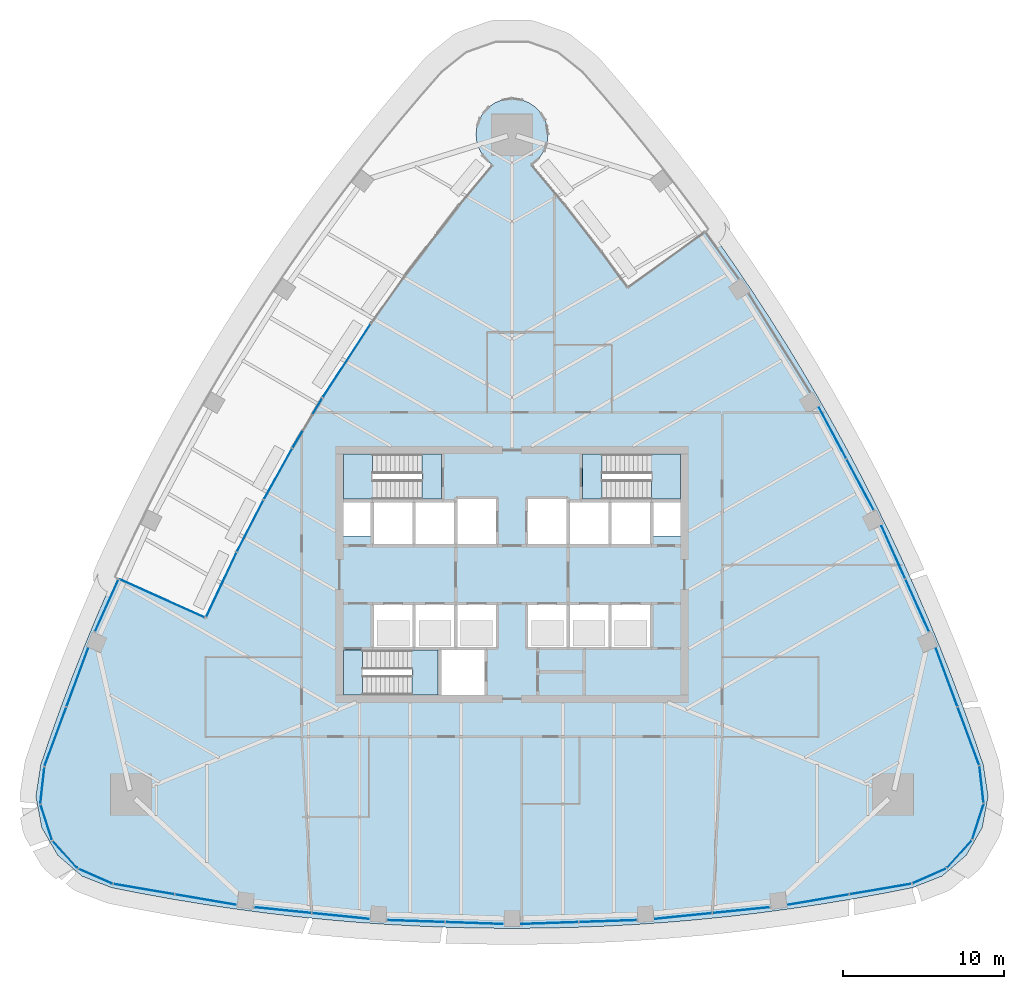
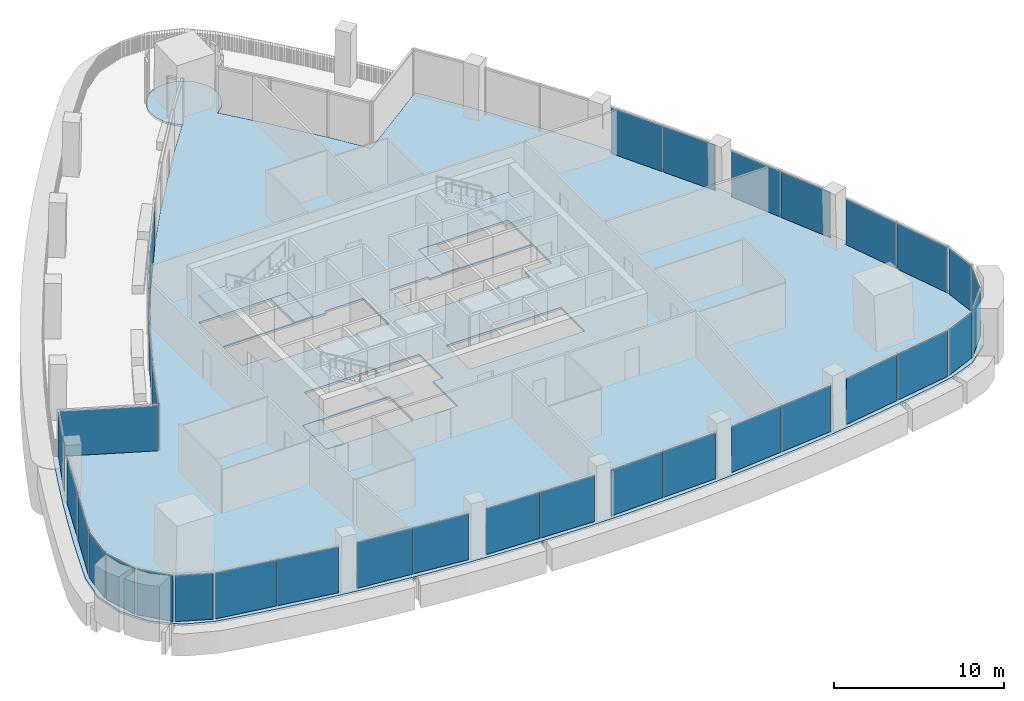
# One storey, part 8 of 19: 35 plates, 7 slabs, 28 elements without a shape of their own.
"""IFC4 building model written with IfcOpenShell, lengths in metres."""

from ifc_helpers import new_model, si_unit, direction, frame, origin, origin_2d, place, context, subcontext, project, spatial, polyline, rectangle, outline, extrude, material, layer, layer_set, type_object, element, aggregate, save


model = new_model("IFC4")

# Units and contexts
model_context = context("Model", 3, precision=1e-05, world=origin(), true_north=direction((0.0, 1.0)))
body_context = subcontext(model_context, "Body", "Model", "MODEL_VIEW")
ifc_project = project(units=[si_unit("LENGTHUNIT", "METRE"), si_unit("AREAUNIT", "SQUARE_METRE"), si_unit("VOLUMEUNIT", "CUBIC_METRE"), si_unit("PLANEANGLEUNIT", "RADIAN"), si_unit("MASSUNIT", "GRAM", prefix="KILO")], contexts=[model_context])

# Site, building, storey
site_placement = place(None, origin())
site = spatial("IfcSite", under=ifc_project, at=site_placement, CompositionType="ELEMENT")
building_placement = place(site_placement, origin())
building = spatial("IfcBuilding", under=site, at=building_placement, Name="Sierra Prisma Convention Tower", CompositionType="ELEMENT")
storey_placement = place(building_placement, frame((0.0, 0.0, 173.800048828125)))
storey = spatial("IfcBuildingStorey", under=building, at=storey_placement, Name="L38", CompositionType="ELEMENT", Elevation=173.800048828125)

# Curtain wall, plate
ifc_material_1 = material(Name="Aluminium and glass curtain wall", Category="aluminium")
ifc_layer_1 = layer(ifc_material_1, 0.179931640625)
ifc_layer_set_1 = layer_set([ifc_layer_1], Name="CW-1 Plain shaft curtain wall")
curtain_wall_type_1 = type_object("IfcCurtainWallType", Name="CW-1 Plain shaft curtain wall", PredefinedType="NOTDEFINED", material=ifc_layer_set_1)
curtain_wall_1_placement = place(storey_placement, origin())
curtain_wall_1 = element("IfcCurtainWall", 1, at=curtain_wall_1_placement, inside=storey, type_object=curtain_wall_type_1, Name="CW-1 NW5b L38", PredefinedType="NOTDEFINED")
ifc_material_2 = material(Name="Tinted glass bronze-grey IGU", Category="glass")
ifc_layer_2 = layer(ifc_material_2, 0.028076171875)
ifc_layer_set_2 = layer_set([ifc_layer_2], Name="CW-1 glass panel")
plate_type_1 = type_object("IfcPlateType", Name="CW-1 glass panel", PredefinedType="CURTAIN_PANEL", material=ifc_layer_set_2)
plate_1_placement = place(storey_placement, frame((-25.248291015625, -1.929443359375, 0.0), z_axis=(0.0, 0.0, 1.0), x_axis=(-0.409913627465, -0.912124343507, 0.0)))
plate_1 = element("IfcPlate", 2, at=plate_1_placement, type_object=plate_type_1, Name="CW-1 panel NW5b.1", PredefinedType="CURTAIN_PANEL", context=body_context, shape_type="SweptSolid", body=[
    extrude(rectangle(XDim=3.51318359375, YDim=0.028076171875, at=origin_2d()), origin(), (0.0, 0.0, 1.0), 3.280029296875),
])
aggregate(curtain_wall_1, [plate_1])

# Curtain wall, plates
curtain_wall_2_placement = place(storey_placement, origin())
curtain_wall_2 = element("IfcCurtainWall", 3, at=curtain_wall_2_placement, inside=storey, type_object=curtain_wall_type_1, Name="CW-1 NW6 L38", PredefinedType="NOTDEFINED")
plate_2_placement = place(storey_placement, frame((-27.08203125, -6.417724609375, 0.0), z_axis=(0.0, 0.0, 1.0), x_axis=(-0.34746511775, -0.937692909191, 0.0)))
plate_2 = element("IfcPlate", 4, at=plate_2_placement, type_object=plate_type_1, Name="CW-1 panel NW6.1", PredefinedType="CURTAIN_PANEL", context=body_context, shape_type="SweptSolid", body=[
    extrude(rectangle(XDim=3.8203125, YDim=0.028076171875, at=origin_2d()), origin(), (0.0, 0.0, 1.0), 3.280029296875),
])
plate_3_placement = place(storey_placement, frame((-28.433837890625, -10.06591796875, 0.0), z_axis=(0.0, 0.0, 1.0), x_axis=(-0.34746511775, -0.937692909191, 0.0)))
plate_3 = element("IfcPlate", 5, at=plate_3_placement, type_object=plate_type_1, Name="CW-1 panel NW6.2", PredefinedType="CURTAIN_PANEL", context=body_context, shape_type="SweptSolid", body=[
    extrude(rectangle(XDim=3.8203125, YDim=0.028076171875, at=origin_2d()), origin(), (0.0, 0.0, 1.0), 3.280029296875),
])
aggregate(curtain_wall_2, [plate_2, plate_3])

# Curtain wall, plate
curtain_wall_3_placement = place(storey_placement, origin())
curtain_wall_3 = element("IfcCurtainWall", 6, at=curtain_wall_3_placement, inside=storey, type_object=curtain_wall_type_1, Name="CW-1 SW1 L38", PredefinedType="NOTDEFINED")
plate_4_placement = place(storey_placement, frame((-29.252197265625, -13.102783203125, 0.0), z_axis=(0.0, 0.0, 1.0), x_axis=(-0.109718935555, -0.99396265281, 0.0)))
plate_4 = element("IfcPlate", 7, at=plate_4_placement, type_object=plate_type_1, Name="CW-1 panel SW1.1", PredefinedType="CURTAIN_PANEL", context=body_context, shape_type="SweptSolid", body=[
    extrude(rectangle(XDim=2.234619140625, YDim=0.028076171875, at=origin_2d()), origin(), (0.0, 0.0, 1.0), 3.280029296875),
])
aggregate(curtain_wall_3, [plate_4])

curtain_wall_4_placement = place(storey_placement, origin())
curtain_wall_4 = element("IfcCurtainWall", 8, at=curtain_wall_4_placement, inside=storey, type_object=curtain_wall_type_1, Name="CW-1 SW2 L38", PredefinedType="NOTDEFINED")
plate_5_placement = place(storey_placement, frame((-29.017578125, -15.412841796875, 0.0), z_axis=(0.0, 0.0, 1.0), x_axis=(0.307361524515, -0.95159281904, 0.0)))
plate_5 = element("IfcPlate", 9, at=plate_5_placement, type_object=plate_type_1, Name="CW-1 panel SW2.1", PredefinedType="CURTAIN_PANEL", context=body_context, shape_type="SweptSolid", body=[
    extrude(rectangle(XDim=2.234619140625, YDim=0.028076171875, at=origin_2d()), origin(), (0.0, 0.0, 1.0), 3.280029296875),
])
aggregate(curtain_wall_4, [plate_5])

curtain_wall_5_placement = place(storey_placement, origin())
curtain_wall_5 = element("IfcCurtainWall", 10, at=curtain_wall_5_placement, inside=storey, type_object=curtain_wall_type_1, Name="CW-1 SW3 L38", PredefinedType="NOTDEFINED")
plate_6_placement = place(storey_placement, frame((-27.856689453125, -17.423583984375, 0.0), z_axis=(0.0, 0.0, 1.0), x_axis=(0.67042279309, -0.741979297896, 0.0)))
plate_6 = element("IfcPlate", 11, at=plate_6_placement, type_object=plate_type_1, Name="CW-1 panel SW3.1", PredefinedType="CURTAIN_PANEL", context=body_context, shape_type="SweptSolid", body=[
    extrude(rectangle(XDim=2.234619140625, YDim=0.028076171875, at=origin_2d()), origin(), (0.0, 0.0, 1.0), 3.280029296875),
])
aggregate(curtain_wall_5, [plate_6])

curtain_wall_6_placement = place(storey_placement, origin())
curtain_wall_6 = element("IfcCurtainWall", 12, at=curtain_wall_6_placement, inside=storey, type_object=curtain_wall_type_1, Name="CW-1 SW4 L38", PredefinedType="NOTDEFINED")
plate_7_placement = place(storey_placement, frame((-25.973388671875, -18.78173828125, 0.0), z_axis=(0.0, 0.0, 1.0), x_axis=(0.915656375524, -0.401961940938, 0.0)))
plate_7 = element("IfcPlate", 13, at=plate_7_placement, type_object=plate_type_1, Name="CW-1 panel SW4.1", PredefinedType="CURTAIN_PANEL", context=body_context, shape_type="SweptSolid", body=[
    extrude(rectangle(XDim=2.234619140625, YDim=0.028076171875, at=origin_2d()), origin(), (0.0, 0.0, 1.0), 3.280029296875),
])
aggregate(curtain_wall_6, [plate_7])

# Curtain wall, plates
curtain_wall_7_placement = place(storey_placement, origin())
curtain_wall_7 = element("IfcCurtainWall", 14, at=curtain_wall_7_placement, inside=storey, type_object=curtain_wall_type_1, Name="CW-1 S1 L38", PredefinedType="NOTDEFINED")
plate_8_placement = place(storey_placement, frame((-22.934326171875, -19.591552734375, 0.0), z_axis=(0.0, 0.0, 1.0), x_axis=(0.985798439183, -0.167932835695, 0.0)))
plate_8 = element("IfcPlate", 15, at=plate_8_placement, type_object=plate_type_1, Name="CW-1 panel S1.1", PredefinedType="CURTAIN_PANEL", context=body_context, shape_type="SweptSolid", body=[
    extrude(rectangle(XDim=3.8203125, YDim=0.028076171875, at=origin_2d()), origin(), (0.0, 0.0, 1.0), 3.280029296875),
])
plate_9_placement = place(storey_placement, frame((-19.09912109375, -20.244873046875, 0.0), z_axis=(0.0, 0.0, 1.0), x_axis=(0.985798439183, -0.167932835695, 0.0)))
plate_9 = element("IfcPlate", 16, at=plate_9_placement, type_object=plate_type_1, Name="CW-1 panel S1.2", PredefinedType="CURTAIN_PANEL", context=body_context, shape_type="SweptSolid", body=[
    extrude(rectangle(XDim=3.8203125, YDim=0.028076171875, at=origin_2d()), origin(), (0.0, 0.0, 1.0), 3.280029296875),
])
aggregate(curtain_wall_7, [plate_8, plate_9])

curtain_wall_8_placement = place(storey_placement, origin())
curtain_wall_8 = element("IfcCurtainWall", 17, at=curtain_wall_8_placement, inside=storey, type_object=curtain_wall_type_1, Name="CW-1 S2 L38", PredefinedType="NOTDEFINED")
plate_10_placement = place(storey_placement, frame((-14.277587890625, -20.90283203125, 0.0), z_axis=(0.0, 0.0, 1.0), x_axis=(0.99487966662, -0.101066557011, 0.0)))
plate_10 = element("IfcPlate", 18, at=plate_10_placement, type_object=plate_type_1, Name="CW-1 panel S2.1", PredefinedType="CURTAIN_PANEL", context=body_context, shape_type="SweptSolid", body=[
    extrude(rectangle(XDim=3.548095703125, YDim=0.028076171875, at=origin_2d()), origin(), (0.0, 0.0, 1.0), 3.280029296875),
])
plate_11_placement = place(storey_placement, frame((-10.677978515625, -21.2685546875, 0.0), z_axis=(0.0, 0.0, 1.0), x_axis=(0.99487966662, -0.101066557011, 0.0)))
plate_11 = element("IfcPlate", 19, at=plate_11_placement, type_object=plate_type_1, Name="CW-1 panel S2.2", PredefinedType="CURTAIN_PANEL", context=body_context, shape_type="SweptSolid", body=[
    extrude(rectangle(XDim=3.548095703125, YDim=0.028076171875, at=origin_2d()), origin(), (0.0, 0.0, 1.0), 3.280029296875),
])
aggregate(curtain_wall_8, [plate_10, plate_11])

curtain_wall_9_placement = place(storey_placement, origin())
curtain_wall_9 = element("IfcCurtainWall", 20, at=curtain_wall_9_placement, inside=storey, type_object=curtain_wall_type_1, Name="CW-1 S3 L38", PredefinedType="NOTDEFINED")
plate_12_placement = place(storey_placement, frame((-5.98291015625, -21.585205078125, 0.0), z_axis=(0.0, 0.0, 1.0), x_axis=(0.999430641926, -0.033740064896, 0.0)))
plate_12 = element("IfcPlate", 21, at=plate_12_placement, type_object=plate_type_1, Name="CW-1 panel S3.1", PredefinedType="CURTAIN_PANEL", context=body_context, shape_type="SweptSolid", body=[
    extrude(rectangle(XDim=3.564208984375, YDim=0.028076171875, at=origin_2d()), origin(), (0.0, 0.0, 1.0), 3.280029296875),
])
plate_13_placement = place(storey_placement, frame((-2.350830078125, -21.707763671875, 0.0), z_axis=(0.0, 0.0, 1.0), x_axis=(0.999430641926, -0.033740064896, 0.0)))
plate_13 = element("IfcPlate", 22, at=plate_13_placement, type_object=plate_type_1, Name="CW-1 panel S3.2", PredefinedType="CURTAIN_PANEL", context=body_context, shape_type="SweptSolid", body=[
    extrude(rectangle(XDim=3.564208984375, YDim=0.028076171875, at=origin_2d()), origin(), (0.0, 0.0, 1.0), 3.280029296875),
])
aggregate(curtain_wall_9, [plate_12, plate_13])

curtain_wall_10_placement = place(storey_placement, origin())
curtain_wall_10 = element("IfcCurtainWall", 23, at=curtain_wall_10_placement, inside=storey, type_object=curtain_wall_type_1, Name="CW-1 S4 L38", PredefinedType="NOTDEFINED")
plate_14_placement = place(storey_placement, frame((2.350830078125, -21.707763671875, 0.0), z_axis=(0.0, 0.0, 1.0), x_axis=(0.999430641926, 0.033740064896, 0.0)))
plate_14 = element("IfcPlate", 24, at=plate_14_placement, type_object=plate_type_1, Name="CW-1 panel S4.1", PredefinedType="CURTAIN_PANEL", context=body_context, shape_type="SweptSolid", body=[
    extrude(rectangle(XDim=3.564208984375, YDim=0.028076171875, at=origin_2d()), origin(), (0.0, 0.0, 1.0), 3.280029296875),
])
plate_15_placement = place(storey_placement, frame((5.98291015625, -21.585205078125, 0.0), z_axis=(0.0, 0.0, 1.0), x_axis=(0.999430641926, 0.033740064896, 0.0)))
plate_15 = element("IfcPlate", 25, at=plate_15_placement, type_object=plate_type_1, Name="CW-1 panel S4.2", PredefinedType="CURTAIN_PANEL", context=body_context, shape_type="SweptSolid", body=[
    extrude(rectangle(XDim=3.564208984375, YDim=0.028076171875, at=origin_2d()), origin(), (0.0, 0.0, 1.0), 3.280029296875),
])
aggregate(curtain_wall_10, [plate_14, plate_15])

curtain_wall_11_placement = place(storey_placement, origin())
curtain_wall_11 = element("IfcCurtainWall", 26, at=curtain_wall_11_placement, inside=storey, type_object=curtain_wall_type_1, Name="CW-1 S5 L38", PredefinedType="NOTDEFINED")
plate_16_placement = place(storey_placement, frame((10.677978515625, -21.2685546875, 0.0), z_axis=(0.0, 0.0, 1.0), x_axis=(0.99487966662, 0.101066557011, 0.0)))
plate_16 = element("IfcPlate", 27, at=plate_16_placement, type_object=plate_type_1, Name="CW-1 panel S5.1", PredefinedType="CURTAIN_PANEL", context=body_context, shape_type="SweptSolid", body=[
    extrude(rectangle(XDim=3.548095703125, YDim=0.028076171875, at=origin_2d()), origin(), (0.0, 0.0, 1.0), 3.280029296875),
])
plate_17_placement = place(storey_placement, frame((14.277587890625, -20.90283203125, 0.0), z_axis=(0.0, 0.0, 1.0), x_axis=(0.99487966662, 0.101066557011, 0.0)))
plate_17 = element("IfcPlate", 28, at=plate_17_placement, type_object=plate_type_1, Name="CW-1 panel S5.2", PredefinedType="CURTAIN_PANEL", context=body_context, shape_type="SweptSolid", body=[
    extrude(rectangle(XDim=3.548095703125, YDim=0.028076171875, at=origin_2d()), origin(), (0.0, 0.0, 1.0), 3.280029296875),
])
aggregate(curtain_wall_11, [plate_16, plate_17])

curtain_wall_12_placement = place(storey_placement, origin())
curtain_wall_12 = element("IfcCurtainWall", 29, at=curtain_wall_12_placement, inside=storey, type_object=curtain_wall_type_1, Name="CW-1 S6 L38", PredefinedType="NOTDEFINED")
plate_18_placement = place(storey_placement, frame((19.09912109375, -20.244873046875, 0.0), z_axis=(0.0, 0.0, 1.0), x_axis=(0.985798439183, 0.167932835695, 0.0)))
plate_18 = element("IfcPlate", 30, at=plate_18_placement, type_object=plate_type_1, Name="CW-1 panel S6.1", PredefinedType="CURTAIN_PANEL", context=body_context, shape_type="SweptSolid", body=[
    extrude(rectangle(XDim=3.8203125, YDim=0.028076171875, at=origin_2d()), origin(), (0.0, 0.0, 1.0), 3.280029296875),
])
plate_19_placement = place(storey_placement, frame((22.934326171875, -19.591552734375, 0.0), z_axis=(0.0, 0.0, 1.0), x_axis=(0.985798439183, 0.167932835695, 0.0)))
plate_19 = element("IfcPlate", 31, at=plate_19_placement, type_object=plate_type_1, Name="CW-1 panel S6.2", PredefinedType="CURTAIN_PANEL", context=body_context, shape_type="SweptSolid", body=[
    extrude(rectangle(XDim=3.8203125, YDim=0.028076171875, at=origin_2d()), origin(), (0.0, 0.0, 1.0), 3.280029296875),
])
aggregate(curtain_wall_12, [plate_18, plate_19])

# Curtain wall, plate
curtain_wall_13_placement = place(storey_placement, origin())
curtain_wall_13 = element("IfcCurtainWall", 32, at=curtain_wall_13_placement, inside=storey, type_object=curtain_wall_type_1, Name="CW-1 SE1 L38", PredefinedType="NOTDEFINED")
plate_20_placement = place(storey_placement, frame((25.973388671875, -18.78173828125, 0.0), z_axis=(0.0, 0.0, 1.0), x_axis=(0.915656375524, 0.401961940938, 0.0)))
plate_20 = element("IfcPlate", 33, at=plate_20_placement, type_object=plate_type_1, Name="CW-1 panel SE1.1", PredefinedType="CURTAIN_PANEL", context=body_context, shape_type="SweptSolid", body=[
    extrude(rectangle(XDim=2.234619140625, YDim=0.028076171875, at=origin_2d()), origin(), (0.0, 0.0, 1.0), 3.280029296875),
])
aggregate(curtain_wall_13, [plate_20])

curtain_wall_14_placement = place(storey_placement, origin())
curtain_wall_14 = element("IfcCurtainWall", 34, at=curtain_wall_14_placement, inside=storey, type_object=curtain_wall_type_1, Name="CW-1 SE2 L38", PredefinedType="NOTDEFINED")
plate_21_placement = place(storey_placement, frame((27.856689453125, -17.423583984375, 0.0), z_axis=(0.0, 0.0, 1.0), x_axis=(0.67042279309, 0.741979297896, 0.0)))
plate_21 = element("IfcPlate", 35, at=plate_21_placement, type_object=plate_type_1, Name="CW-1 panel SE2.1", PredefinedType="CURTAIN_PANEL", context=body_context, shape_type="SweptSolid", body=[
    extrude(rectangle(XDim=2.234619140625, YDim=0.028076171875, at=origin_2d()), origin(), (0.0, 0.0, 1.0), 3.280029296875),
])
aggregate(curtain_wall_14, [plate_21])

curtain_wall_15_placement = place(storey_placement, origin())
curtain_wall_15 = element("IfcCurtainWall", 36, at=curtain_wall_15_placement, inside=storey, type_object=curtain_wall_type_1, Name="CW-1 SE3 L38", PredefinedType="NOTDEFINED")
plate_22_placement = place(storey_placement, frame((29.017578125, -15.412841796875, 0.0), z_axis=(0.0, 0.0, 1.0), x_axis=(0.307361524515, 0.95159281904, 0.0)))
plate_22 = element("IfcPlate", 37, at=plate_22_placement, type_object=plate_type_1, Name="CW-1 panel SE3.1", PredefinedType="CURTAIN_PANEL", context=body_context, shape_type="SweptSolid", body=[
    extrude(rectangle(XDim=2.234619140625, YDim=0.028076171875, at=origin_2d()), origin(), (0.0, 0.0, 1.0), 3.280029296875),
])
aggregate(curtain_wall_15, [plate_22])

curtain_wall_16_placement = place(storey_placement, origin())
curtain_wall_16 = element("IfcCurtainWall", 38, at=curtain_wall_16_placement, inside=storey, type_object=curtain_wall_type_1, Name="CW-1 SE4 L38", PredefinedType="NOTDEFINED")
plate_23_placement = place(storey_placement, frame((29.252197265625, -13.102783203125, 0.0), z_axis=(0.0, 0.0, 1.0), x_axis=(-0.109718935555, 0.99396265281, 0.0)))
plate_23 = element("IfcPlate", 39, at=plate_23_placement, type_object=plate_type_1, Name="CW-1 panel SE4.1", PredefinedType="CURTAIN_PANEL", context=body_context, shape_type="SweptSolid", body=[
    extrude(rectangle(XDim=2.234619140625, YDim=0.028076171875, at=origin_2d()), origin(), (0.0, 0.0, 1.0), 3.280029296875),
])
aggregate(curtain_wall_16, [plate_23])

# Curtain wall, plates
curtain_wall_17_placement = place(storey_placement, origin())
curtain_wall_17 = element("IfcCurtainWall", 40, at=curtain_wall_17_placement, inside=storey, type_object=curtain_wall_type_1, Name="CW-1 NE1 L38", PredefinedType="NOTDEFINED")
plate_24_placement = place(storey_placement, frame((28.433837890625, -10.06591796875, 0.0), z_axis=(0.0, 0.0, 1.0), x_axis=(-0.34746511775, 0.937692909191, 0.0)))
plate_24 = element("IfcPlate", 41, at=plate_24_placement, type_object=plate_type_1, Name="CW-1 panel NE1.1", PredefinedType="CURTAIN_PANEL", context=body_context, shape_type="SweptSolid", body=[
    extrude(rectangle(XDim=3.8203125, YDim=0.028076171875, at=origin_2d()), origin(), (0.0, 0.0, 1.0), 3.280029296875),
])
plate_25_placement = place(storey_placement, frame((27.08203125, -6.417724609375, 0.0), z_axis=(0.0, 0.0, 1.0), x_axis=(-0.34746511775, 0.937692909191, 0.0)))
plate_25 = element("IfcPlate", 42, at=plate_25_placement, type_object=plate_type_1, Name="CW-1 panel NE1.2", PredefinedType="CURTAIN_PANEL", context=body_context, shape_type="SweptSolid", body=[
    extrude(rectangle(XDim=3.8203125, YDim=0.028076171875, at=origin_2d()), origin(), (0.0, 0.0, 1.0), 3.280029296875),
])
aggregate(curtain_wall_17, [plate_24, plate_25])

curtain_wall_18_placement = place(storey_placement, origin())
curtain_wall_18 = element("IfcCurtainWall", 43, at=curtain_wall_18_placement, inside=storey, type_object=curtain_wall_type_1, Name="CW-1 NE2 L38", PredefinedType="NOTDEFINED")
plate_26_placement = place(storey_placement, frame((25.2412109375, -1.91357421875, 0.0), z_axis=(0.0, 0.0, 1.0), x_axis=(-0.409913627465, 0.912124343507, 0.0)))
plate_26 = element("IfcPlate", 44, at=plate_26_placement, type_object=plate_type_1, Name="CW-1 panel NE2.1", PredefinedType="CURTAIN_PANEL", context=body_context, shape_type="SweptSolid", body=[
    extrude(rectangle(XDim=3.54833984375, YDim=0.028076171875, at=origin_2d()), origin(), (0.0, 0.0, 1.0), 3.280029296875),
])
plate_27_placement = place(storey_placement, frame((23.758056640625, 1.38671875, 0.0), z_axis=(0.0, 0.0, 1.0), x_axis=(-0.409913627465, 0.912124343507, 0.0)))
plate_27 = element("IfcPlate", 45, at=plate_27_placement, type_object=plate_type_1, Name="CW-1 panel NE2.2", PredefinedType="CURTAIN_PANEL", context=body_context, shape_type="SweptSolid", body=[
    extrude(rectangle(XDim=3.54833984375, YDim=0.028076171875, at=origin_2d()), origin(), (0.0, 0.0, 1.0), 3.280029296875),
])
aggregate(curtain_wall_18, [plate_26, plate_27])

curtain_wall_19_placement = place(storey_placement, origin())
curtain_wall_19 = element("IfcCurtainWall", 46, at=curtain_wall_19_placement, inside=storey, type_object=curtain_wall_type_1, Name="CW-1 NE3 L38", PredefinedType="NOTDEFINED")
plate_28_placement = place(storey_placement, frame((21.684814453125, 5.611328125, 0.0), z_axis=(0.0, 0.0, 1.0), x_axis=(-0.470495567638, 0.882402357677, 0.0)))
plate_28 = element("IfcPlate", 47, at=plate_28_placement, type_object=plate_type_1, Name="CW-1 panel NE3.1", PredefinedType="CURTAIN_PANEL", context=body_context, shape_type="SweptSolid", body=[
    extrude(rectangle(XDim=3.564208984375, YDim=0.028076171875, at=origin_2d()), origin(), (0.0, 0.0, 1.0), 3.280029296875),
])
plate_29_placement = place(storey_placement, frame((19.974853515625, 8.818115234375, 0.0), z_axis=(0.0, 0.0, 1.0), x_axis=(-0.470495567638, 0.882402357677, 0.0)))
plate_29 = element("IfcPlate", 48, at=plate_29_placement, type_object=plate_type_1, Name="CW-1 panel NE3.2", PredefinedType="CURTAIN_PANEL", context=body_context, shape_type="SweptSolid", body=[
    extrude(rectangle(XDim=3.564208984375, YDim=0.028076171875, at=origin_2d()), origin(), (0.0, 0.0, 1.0), 3.280029296875),
])
aggregate(curtain_wall_19, [plate_28, plate_29])

# Curtain wall, plate
ifc_material_3 = material(Name="Aluminium and glass curtain wall", Category="aluminium")
ifc_layer_3 = layer(ifc_material_3, 0.179931640625)
ifc_layer_set_3 = layer_set([ifc_layer_3], Name="CW-6 Terrace recess curtain wall")
curtain_wall_type_2 = type_object("IfcCurtainWallType", Name="CW-6 Terrace recess curtain wall", PredefinedType="NOTDEFINED", material=ifc_layer_set_3)
curtain_wall_20_placement = place(storey_placement, origin())
curtain_wall_20 = element("IfcCurtainWall", 49, at=curtain_wall_20_placement, inside=storey, type_object=curtain_wall_type_2, Name="CW-6 R30 L38", PredefinedType="NOTDEFINED")
ifc_material_4 = material(Name="Tinted glass bronze-grey IGU", Category="glass")
ifc_layer_4 = layer(ifc_material_4, 0.028076171875)
ifc_layer_set_4 = layer_set([ifc_layer_4], Name="CW-6 glass panel")
plate_type_2 = type_object("IfcPlateType", Name="CW-6 glass panel", PredefinedType="CURTAIN_PANEL", material=ifc_layer_set_4)
plate_30_placement = place(storey_placement, frame((-10.28564453125, 13.3447265625, 0.0), z_axis=(0.0, 0.0, 1.0), x_axis=(-0.546443973829, -0.837495661759, 0.0)))
plate_30 = element("IfcPlate", 50, at=plate_30_placement, type_object=plate_type_2, Name="CW-6 panel R30.1", PredefinedType="CURTAIN_PANEL", context=body_context, shape_type="SweptSolid", body=[
    extrude(rectangle(XDim=5.361572265625, YDim=0.028076171875, at=origin_2d()), origin(), (0.0, 0.0, 1.0), 3.219970703125),
])
aggregate(curtain_wall_20, [plate_30])

curtain_wall_21_placement = place(storey_placement, origin())
curtain_wall_21 = element("IfcCurtainWall", 51, at=curtain_wall_21_placement, inside=storey, type_object=curtain_wall_type_2, Name="CW-6 R31 L38", PredefinedType="NOTDEFINED")
plate_31_placement = place(storey_placement, frame((-12.730224609375, 9.46728515625, 0.0), z_axis=(0.0, 0.0, 1.0), x_axis=(-0.513427408458, -0.858133029456, 0.0)))
plate_31 = element("IfcPlate", 52, at=plate_31_placement, type_object=plate_type_2, Name="CW-6 panel R31.1", PredefinedType="CURTAIN_PANEL", context=body_context, shape_type="SweptSolid", body=[
    extrude(rectangle(XDim=3.52783203125, YDim=0.028076171875, at=origin_2d()), origin(), (0.0, 0.0, 1.0), 3.219970703125),
])
aggregate(curtain_wall_21, [plate_31])

curtain_wall_22_placement = place(storey_placement, origin())
curtain_wall_22 = element("IfcCurtainWall", 53, at=curtain_wall_22_placement, inside=storey, type_object=curtain_wall_type_2, Name="CW-6 R32 L38", PredefinedType="NOTDEFINED")
plate_32_placement = place(storey_placement, frame((-14.56396484375, 6.291259765625, 0.0), z_axis=(0.0, 0.0, 1.0), x_axis=(-0.486451299106, -0.873707693452, 0.0)))
plate_32 = element("IfcPlate", 54, at=plate_32_placement, type_object=plate_type_2, Name="CW-6 panel R32.1", PredefinedType="CURTAIN_PANEL", context=body_context, shape_type="SweptSolid", body=[
    extrude(rectangle(XDim=3.52783203125, YDim=0.028076171875, at=origin_2d()), origin(), (0.0, 0.0, 1.0), 3.219970703125),
])
aggregate(curtain_wall_22, [plate_32])

curtain_wall_23_placement = place(storey_placement, origin())
curtain_wall_23 = element("IfcCurtainWall", 55, at=curtain_wall_23_placement, inside=storey, type_object=curtain_wall_type_2, Name="CW-6 R33 L38", PredefinedType="NOTDEFINED")
plate_33_placement = place(storey_placement, frame((-16.2978515625, 3.0595703125, 0.0), z_axis=(0.0, 0.0, 1.0), x_axis=(-0.459003195464, -0.888434615801, 0.0)))
plate_33 = element("IfcPlate", 56, at=plate_33_placement, type_object=plate_type_2, Name="CW-6 panel R33.1", PredefinedType="CURTAIN_PANEL", context=body_context, shape_type="SweptSolid", body=[
    extrude(rectangle(XDim=3.52783203125, YDim=0.028076171875, at=origin_2d()), origin(), (0.0, 0.0, 1.0), 3.219970703125),
])
aggregate(curtain_wall_23, [plate_33])

curtain_wall_24_placement = place(storey_placement, origin())
curtain_wall_24 = element("IfcCurtainWall", 57, at=curtain_wall_24_placement, inside=storey, type_object=curtain_wall_type_2, Name="CW-6 R34 L38", PredefinedType="NOTDEFINED")
plate_34_placement = place(storey_placement, frame((-18.110595703125, -0.634033203125, 0.0), z_axis=(0.0, 0.0, 1.0), x_axis=(-0.425590246016, -0.90491598643, 0.0)))
plate_34 = element("IfcPlate", 58, at=plate_34_placement, type_object=plate_type_2, Name="CW-6 panel R34.1", PredefinedType="CURTAIN_PANEL", context=body_context, shape_type="SweptSolid", body=[
    extrude(rectangle(XDim=4.42236328125, YDim=0.028076171875, at=origin_2d()), origin(), (0.0, 0.0, 1.0), 3.219970703125),
])
aggregate(curtain_wall_24, [plate_34])

curtain_wall_25_placement = place(storey_placement, origin())
curtain_wall_25 = element("IfcCurtainWall", 59, at=curtain_wall_25_placement, inside=storey, type_object=curtain_wall_type_2, Name="CW-6 RT2 L38", PredefinedType="NOTDEFINED")
plate_35_placement = place(storey_placement, frame((-21.79052734375, -1.48095703125, 0.0), z_axis=(0.0, 0.0, 1.0), x_axis=(-0.912124343507, 0.409913627465, 0.0)))
plate_35 = element("IfcPlate", 60, at=plate_35_placement, type_object=plate_type_2, Name="CW-6 panel RT2.1", PredefinedType="CURTAIN_PANEL", context=body_context, shape_type="SweptSolid", body=[
    extrude(rectangle(XDim=5.80029296875, YDim=0.028076171875, at=origin_2d()), origin(), (0.0, 0.0, 1.0), 3.219970703125),
])
aggregate(curtain_wall_25, [plate_35])

# Slab
ifc_material_5 = material(Name="Concrete C35/45", Category="concrete")
ifc_layer_5 = layer(ifc_material_5, 0.14990234375)
ifc_layer_set_5 = layer_set([ifc_layer_5], Name="Composite floor slab 150")
slab_type_1 = type_object("IfcSlabType", Name="Composite floor slab 150", PredefinedType="FLOOR", material=ifc_layer_set_5)
slab_1_placement = place(storey_placement, frame((0.0, 0.0, -0.150146484375)))
element("IfcSlab", 61, at=slab_1_placement, inside=storey, type_object=slab_type_1, Name="Floor slab L38 floor", PredefinedType="FLOOR", context=body_context, shape_type="SweptSolid", body=[
    extrude(outline(polyline([(12.83056640625, 20.76904296875), (12.278076171875, 21.534912109375), (7.203125, 17.874755859375), (5.564208984375, 20.110595703125), (3.304443359375, 22.999755859375), (1.197265625, 25.531982421875), (1.73046875, 26.000732421875), (1.97412109375, 26.36572265625), (2.195556640625, 26.984130859375), (2.238525390625, 27.4208984375), (2.14208984375, 28.07080078125), (2.068115234375, 28.277587890625), (1.73046875, 28.841064453125), (1.420166015625, 29.1513671875), (1.05517578125, 29.39501953125), (0.64990234375, 29.56298828125), (0.0, 29.659423828125), (-0.64990234375, 29.56298828125), (-1.05517578125, 29.39501953125), (-1.420166015625, 29.1513671875), (-1.861328125, 28.66455078125), (-1.97412109375, 28.47607421875), (-2.195556640625, 27.857666015625), (-2.238525390625, 27.4208984375), (-2.195556640625, 26.984130859375), (-2.068115234375, 26.564208984375), (-1.861328125, 26.17724609375), (-1.420166015625, 25.6904296875), (-1.197265625, 25.531982421875), (-3.304443359375, 22.999755859375), (-6.66015625, 18.64013671875), (-8.782470703125, 15.6484375), (-11.788818359375, 11.041015625), (-13.671875, 7.8935546875), (-15.4560546875, 4.688720703125), (-17.1396484375, 1.43017578125), (-19.081298828125, -2.6982421875), (-24.78857421875, -0.133544921875), (-25.193603515625, -1.03466796875), (-25.957763671875, -2.808349609375), (-26.694091796875, -4.59375), (-27.402587890625, -6.390625), (-28.0830078125, -8.197998046875), (-28.7353515625, -10.015869140625), (-29.359130859375, -11.84375), (-29.66064453125, -13.8095703125), (-29.29345703125, -15.764404296875), (-28.299072265625, -17.48681640625), (-26.789794921875, -18.781982421875), (-24.9365234375, -19.50390625), (-23.041748046875, -19.877685546875), (-21.141357421875, -20.2216796875), (-19.235595703125, -20.5361328125), (-17.325439453125, -20.82080078125), (-15.410888671875, -21.07568359375), (-13.492919921875, -21.30078125), (-11.5712890625, -21.49609375), (-9.64697265625, -21.661376953125), (-7.720458984375, -21.796630859375), (-5.7919921875, -21.90185546875), (-3.862060546875, -21.97705078125), (-1.931396484375, -22.022216796875), (0.0, -22.037109375), (1.931396484375, -22.022216796875), (3.862060546875, -21.97705078125), (5.7919921875, -21.90185546875), (7.720458984375, -21.796630859375), (9.64697265625, -21.661376953125), (11.5712890625, -21.49609375), (13.492919921875, -21.30078125), (15.410888671875, -21.07568359375), (17.325439453125, -20.82080078125), (19.235595703125, -20.5361328125), (21.141357421875, -20.2216796875), (23.041748046875, -19.877685546875), (24.9365234375, -19.50390625), (26.789794921875, -18.781982421875), (28.299072265625, -17.48681640625), (29.29345703125, -15.764404296875), (29.66064453125, -13.8095703125), (29.359130859375, -11.84375), (28.7353515625, -10.015869140625), (28.0830078125, -8.197998046875), (27.402587890625, -6.390625), (26.694091796875, -4.59375), (25.957763671875, -2.808349609375), (25.193603515625, -1.03466796875), (24.40185546875, 0.72705078125), (23.582763671875, 2.47607421875), (22.736572265625, 4.212158203125), (21.863525390625, 5.934814453125), (20.963623046875, 7.643798828125), (20.037353515625, 9.338623046875), (19.084716796875, 11.0185546875), (18.10595703125, 12.68359375), (17.1015625, 14.333251953125), (16.071533203125, 15.966796875), (15.01611328125, 17.58447265625), (13.935791015625, 19.185302734375), (12.83056640625, 20.76904296875)]), holes=[polyline([(-4.60009765625, -7.5), (-10.5, -7.5), (-10.5, -4.699951171875), (-4.60009765625, -4.699951171875), (-4.60009765625, -7.5)]), polyline([(-8.699951171875, -4.60009765625), (-8.699951171875, -1.800048828125), (-6.10009765625, -1.800048828125), (-3.5, -1.800048828125), (-0.89990234375, -1.800048828125), (-0.89990234375, -4.60009765625), (-1.60009765625, -4.60009765625), (-1.60009765625, -7.5), (-4.5, -7.5), (-4.5, -4.60009765625), (-6.10009765625, -4.60009765625), (-8.699951171875, -4.60009765625)]), polyline([(-10.5, 4.60009765625), (-8.699951171875, 4.60009765625), (-6.10009765625, 4.60009765625), (-3.5, 4.60009765625), (-3.5, 4.800048828125), (-0.89990234375, 4.800048828125), (-0.89990234375, 1.800048828125), (-3.5, 1.800048828125), (-6.10009765625, 1.800048828125), (-8.699951171875, 1.800048828125), (-8.699951171875, 2.39990234375), (-10.5, 2.39990234375), (-10.5, 4.60009765625)]), polyline([(-10.5, 4.699951171875), (-10.5, 7.5), (-4.39990234375, 7.5), (-4.39990234375, 4.699951171875), (-10.5, 4.699951171875)]), polyline([(6.10009765625, -1.800048828125), (8.699951171875, -1.800048828125), (8.699951171875, -4.60009765625), (6.10009765625, -4.60009765625), (3.5, -4.60009765625), (0.89990234375, -4.60009765625), (0.89990234375, -1.800048828125), (3.5, -1.800048828125), (6.10009765625, -1.800048828125)]), polyline([(8.699951171875, 4.60009765625), (10.5, 4.60009765625), (10.5, 2.39990234375), (8.699951171875, 2.39990234375), (8.699951171875, 1.800048828125), (6.10009765625, 1.800048828125), (3.5, 1.800048828125), (0.89990234375, 1.800048828125), (0.89990234375, 4.800048828125), (3.5, 4.800048828125), (3.5, 4.60009765625), (6.10009765625, 4.60009765625), (8.699951171875, 4.60009765625)]), polyline([(4.39990234375, 4.699951171875), (4.39990234375, 7.5), (10.5, 7.5), (10.5, 4.699951171875), (4.39990234375, 4.699951171875)])]), origin(), (0.0, 0.0, 1.0), 0.150146484375),
])

# Stair, slab
ifc_material_6 = material(Name="Concrete C30/37", Category="concrete")
stair_type = type_object("IfcStairType", Name="Stair dog-leg 1200 RC", PredefinedType="HALF_TURN_STAIR", material=ifc_material_6)
stair_1_placement = place(storey_placement, origin())
stair_1 = element("IfcStair", 62, at=stair_1_placement, inside=storey, type_object=stair_type, Name="L38 S1", PredefinedType="HALF_TURN_STAIR")
ifc_material_7 = material(Name="Concrete C35/45", Category="concrete")
ifc_layer_6 = layer(ifc_material_7, 0.199951171875)
ifc_layer_set_6 = layer_set([ifc_layer_6], Name="Stair landing slab")
slab_type_2 = type_object("IfcSlabType", Name="Stair landing slab", PredefinedType="LANDING", material=ifc_layer_set_6)
slab_2_placement = place(storey_placement, frame((0.0, 0.0, 1.800048828125)))
slab_2 = element("IfcSlab", 63, at=slab_2_placement, type_object=slab_type_2, Name="S1 landing 1", PredefinedType="LANDING", context=body_context, shape_type="SweptSolid", body=[
    extrude(outline(polyline([(-4.60009765625, -4.699951171875), (-4.60009765625, -7.5), (-6.221923828125, -7.5), (-6.221923828125, -5.89990234375), (-6.669921875, -5.89990234375), (-6.669921875, -4.699951171875), (-4.60009765625, -4.699951171875)])), origin(), (0.0, 0.0, 1.0), 0.199951171875),
])
aggregate(stair_1, [slab_2])

# Slab
slab_3_placement = place(storey_placement, frame((0.0, 0.0, -0.199951171875)))
element("IfcSlab", 64, at=slab_3_placement, inside=storey, type_object=slab_type_2, Name="S1 floor landing L38", PredefinedType="LANDING", context=body_context, shape_type="SweptSolid", body=[
    extrude(outline(polyline([(-10.5, -7.5), (-9.298095703125, -7.5), (-9.298095703125, -4.699951171875), (-10.5, -4.699951171875), (-10.5, -7.5)])), origin(), (0.0, 0.0, 1.0), 0.199951171875),
])

# Stair, slab
stair_2_placement = place(storey_placement, origin())
stair_2 = element("IfcStair", 65, at=stair_2_placement, inside=storey, type_object=stair_type, Name="L38 S3", PredefinedType="HALF_TURN_STAIR")
slab_4_placement = place(storey_placement, frame((0.0, 0.0, 1.800048828125)))
slab_4 = element("IfcSlab", 66, at=slab_4_placement, type_object=slab_type_2, Name="S3 landing 1", PredefinedType="LANDING", context=body_context, shape_type="SweptSolid", body=[
    extrude(outline(polyline([(-8.22998046875, 5.89990234375), (-8.22998046875, 4.699951171875), (-10.5, 4.699951171875), (-10.5, 7.5), (-8.677978515625, 7.5), (-8.677978515625, 5.89990234375), (-8.22998046875, 5.89990234375)])), origin(), (0.0, 0.0, 1.0), 0.199951171875),
])
aggregate(stair_2, [slab_4])

# Slab
slab_5_placement = place(storey_placement, frame((0.0, 0.0, -0.199951171875)))
element("IfcSlab", 67, at=slab_5_placement, inside=storey, type_object=slab_type_2, Name="S3 floor landing L38", PredefinedType="LANDING", context=body_context, shape_type="SweptSolid", body=[
    extrude(outline(polyline([(-4.39990234375, 7.5), (-5.60205078125, 7.5), (-5.60205078125, 4.699951171875), (-4.39990234375, 4.699951171875), (-4.39990234375, 7.5)])), origin(), (0.0, 0.0, 1.0), 0.199951171875),
])

# Stair, slab
stair_3_placement = place(storey_placement, origin())
stair_3 = element("IfcStair", 68, at=stair_3_placement, inside=storey, type_object=stair_type, Name="L38 S4", PredefinedType="HALF_TURN_STAIR")
slab_6_placement = place(storey_placement, frame((0.0, 0.0, 1.800048828125)))
slab_6 = element("IfcSlab", 69, at=slab_6_placement, type_object=slab_type_2, Name="S4 landing 1", PredefinedType="LANDING", context=body_context, shape_type="SweptSolid", body=[
    extrude(outline(polyline([(10.5, 7.5), (10.5, 4.699951171875), (8.677978515625, 4.699951171875), (8.677978515625, 6.300048828125), (8.22998046875, 6.300048828125), (8.22998046875, 7.5), (10.5, 7.5)])), origin(), (0.0, 0.0, 1.0), 0.199951171875),
])
aggregate(stair_3, [slab_6])

# Slab
slab_7_placement = place(storey_placement, frame((0.0, 0.0, -0.199951171875)))
element("IfcSlab", 70, at=slab_7_placement, inside=storey, type_object=slab_type_2, Name="S4 floor landing L38", PredefinedType="LANDING", context=body_context, shape_type="SweptSolid", body=[
    extrude(outline(polyline([(4.39990234375, 4.699951171875), (5.60205078125, 4.699951171875), (5.60205078125, 7.5), (4.39990234375, 7.5), (4.39990234375, 4.699951171875)])), origin(), (0.0, 0.0, 1.0), 0.199951171875),
])

save(model, "model.ifc")
